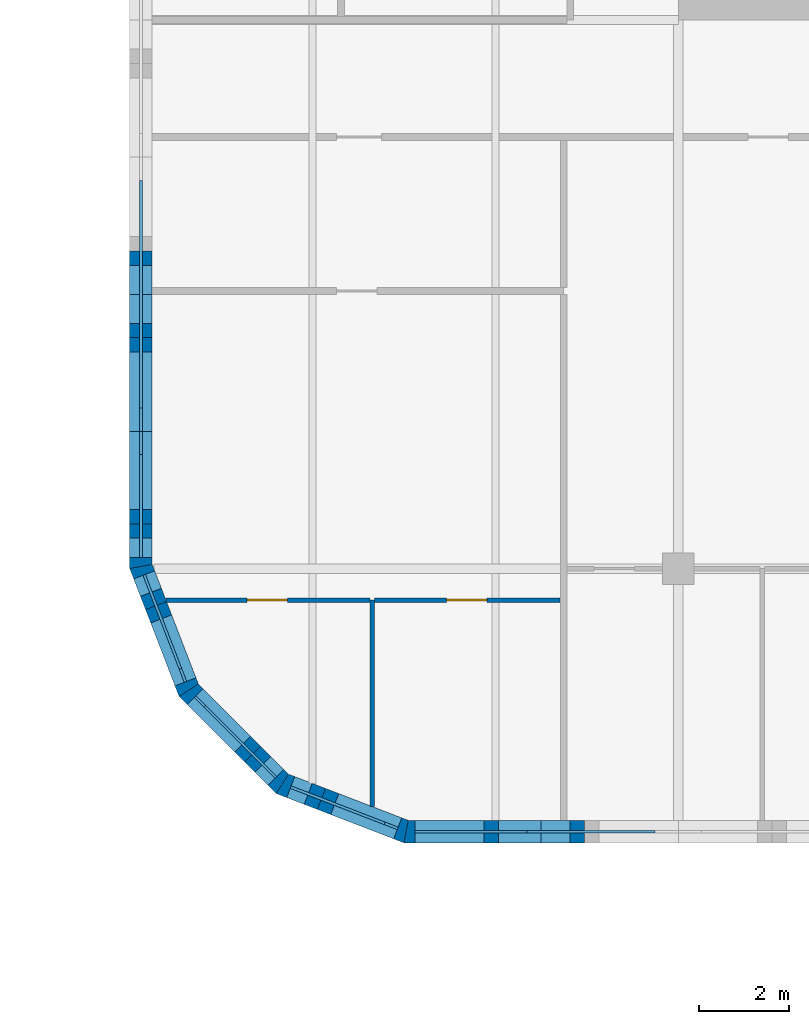
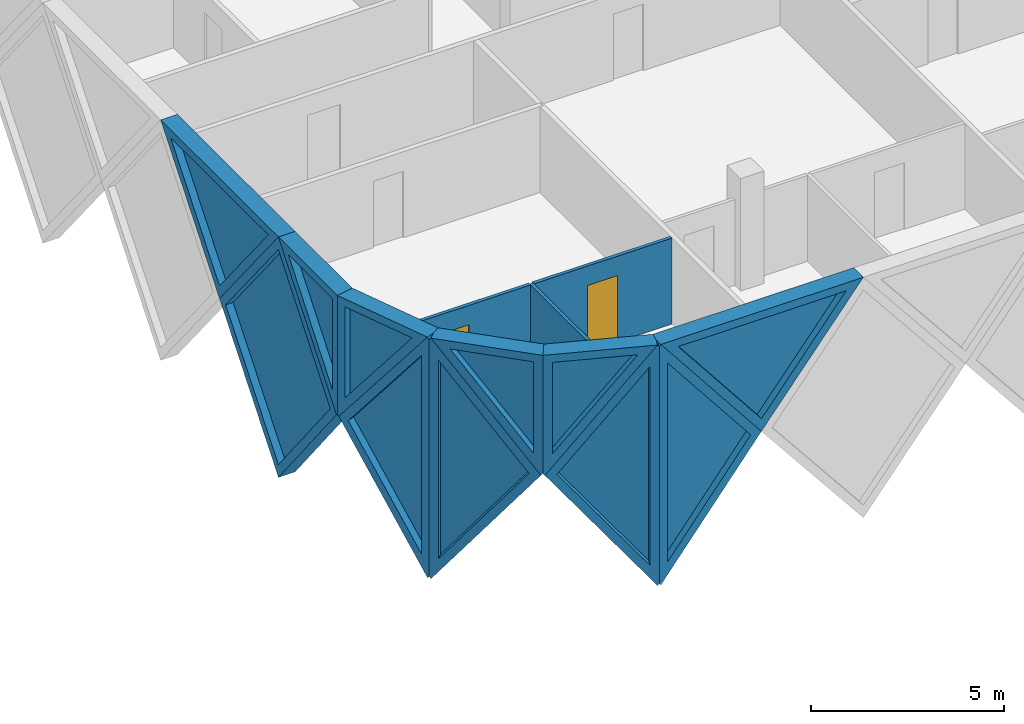
# One storey, part 15 of 24: 14 walls, 11 plates, 2 doors, 13 openings.
"""IFC4 building model written with IfcOpenShell, lengths in metres."""

from ifc_helpers import new_model, si_unit, direction, frame, frame_2d, origin, place, context, subcontext, project, spatial, polyline, rectangle, outline, extrude, faceted_brep, source, transform, mapped, material, layer, layer_set, type_object, element, fill, save


model = new_model("IFC4")

# Units and contexts
model_context = context("Model", 3, precision=1e-05, world=origin(), true_north=direction((0.0, 1.0)))
body_context = subcontext(model_context, "Body", "Model", "MODEL_VIEW")
ifc_project = project(units=[si_unit("LENGTHUNIT", "METRE"), si_unit("AREAUNIT", "SQUARE_METRE"), si_unit("VOLUMEUNIT", "CUBIC_METRE"), si_unit("PLANEANGLEUNIT", "RADIAN"), si_unit("MASSUNIT", "GRAM", prefix="KILO")], contexts=[model_context])

# Site, building, storey
site_placement = place(None, origin())
site = spatial("IfcSite", under=ifc_project, at=site_placement, CompositionType="ELEMENT")
building_placement = place(site_placement, origin())
building = spatial("IfcBuilding", under=site, at=building_placement, Name="Tessera Gate Towers", CompositionType="ELEMENT")
storey_placement = place(building_placement, frame((0.0, 0.0, 102.800048828125)))
storey = spatial("IfcBuildingStorey", under=building, at=storey_placement, Name="L25", CompositionType="ELEMENT", Elevation=102.800048828125)

# Wall
ifc_material_1 = material(Name="Gypsum board on steel studs", Category="steel")
ifc_layer_1 = layer(ifc_material_1, 0.10009765625)
ifc_layer_set_1 = layer_set([ifc_layer_1], Name="PARTITION 100")
wall_type_1 = type_object("IfcWallType", Name="PARTITION 100", PredefinedType="PARTITIONING", material=ifc_layer_set_1)
wall_1_placement = place(storey_placement, frame((90.794921875, 19.10791015625, 0.0), z_axis=(0.0, 0.0, 1.0), x_axis=(0.0, 1.0, 0.0)))
element("IfcWall", 1, at=wall_1_placement, inside=storey, type_object=wall_type_1, Name="T2-L25-PW-007", PredefinedType="PARTITIONING", context=body_context, shape_type="SweptSolid", body=[
    extrude(rectangle(XDim=4.592041015625, YDim=0.10009765625, at=frame_2d((2.2958984375, 0.0))), origin(), (0.0, 0.0, 1.0), 2.71484375),
])

# Wall, opening, door
wall_2_placement = place(storey_placement, frame((90.744140625, 23.699951171875, 0.0), z_axis=(0.0, 0.0, 1.0), x_axis=(-1.0, 0.0, 0.0)))
wall_2 = element("IfcWall", 2, at=wall_2_placement, inside=storey, type_object=wall_type_1, Name="T2-L25-PW-008", PredefinedType="PARTITIONING", context=body_context, shape_type="SweptSolid", body=[
    extrude(rectangle(XDim=4.538330078125, YDim=0.10009765625, at=frame_2d((2.26904296875, 0.0))), origin(), (0.0, 0.0, 1.0), 2.71484375),
])
shared_shape_1 = source(origin(), body_context, "Body", "SweptSolid", [
    extrude(rectangle(XDim=0.89990234375, YDim=2.10009765625, at=frame_2d((0.449951171875, 1.050048828125))), frame((0.0, 0.06005859375, 0.0), z_axis=(0.0, -1.0, 0.0), x_axis=(1.0, 0.0, 0.0)), (0.0, 0.0, 1.0), 0.1201171875),
])
opening_1_placement = place(wall_2_placement, frame((1.83837890625, 0.0, 0.0)))
opening_1 = element("IfcOpeningElement", 3, at=opening_1_placement, cuts=wall_2, Name="Opening D190-B10-04", PredefinedType="OPENING", context=body_context, shape_type="MappedRepresentation", body=[
    mapped(shared_shape_1, transform((0.0, 0.0, 0.0), scale=1.0)),
])
ifc_material_2 = material(Name="Timber door leaf in steel frame", Category="steel")
door_type = type_object("IfcDoorType", Name="INTERNAL DOOR 900 NOT RATED", OperationType="NOTDEFINED", PredefinedType="DOOR", material=ifc_material_2)
shared_shape_2 = source(origin(), body_context, "Body", "SweptSolid", [
    extrude(rectangle(XDim=0.89990234375, YDim=2.10009765625, at=frame_2d((0.449951171875, 1.050048828125))), frame((0.0, 0.02490234375, 0.0), z_axis=(0.0, -1.0, 0.0), x_axis=(1.0, 0.0, 0.0)), (0.0, 0.0, 1.0), 0.050048828125),
])
door_1_placement = place(opening_1_placement, origin())
door_1 = element("IfcDoor", 4, at=door_1_placement, inside=storey, type_object=door_type, Name="T2-L25-PD-004", OperationType="SINGLE_SWING_RIGHT", OverallHeight=2.10009765625, OverallWidth=0.89990234375, PredefinedType="DOOR", context=body_context, shape_type="MappedRepresentation", body=[
    mapped(shared_shape_2, transform((0.0, 0.0, 0.0), scale=1.0)),
])
fill(opening_1, door_1)

wall_3_placement = place(storey_placement, frame((94.97412109375, 23.699951171875, 0.0), z_axis=(0.0, 0.0, 1.0), x_axis=(-1.0, 0.0, 0.0)))
wall_3 = element("IfcWall", 5, at=wall_3_placement, inside=storey, type_object=wall_type_1, Name="T2-L25-PW-009", PredefinedType="PARTITIONING", context=body_context, shape_type="SweptSolid", body=[
    extrude(rectangle(XDim=4.1279296875, YDim=0.10009765625, at=frame_2d((2.06396484375, 0.0))), origin(), (0.0, 0.0, 1.0), 2.71484375),
])
opening_2_placement = place(wall_3_placement, frame((1.627685546875, 0.0, 0.0)))
opening_2 = element("IfcOpeningElement", 6, at=opening_2_placement, cuts=wall_3, Name="Opening D190-B10-02", PredefinedType="OPENING", context=body_context, shape_type="MappedRepresentation", body=[
    mapped(shared_shape_1, transform((0.0, 0.0, 0.0), scale=1.0)),
])
door_2_placement = place(opening_2_placement, origin())
door_2 = element("IfcDoor", 7, at=door_2_placement, inside=storey, type_object=door_type, Name="T2-L25-PD-002", OperationType="SINGLE_SWING_RIGHT", OverallHeight=2.10009765625, OverallWidth=0.89990234375, PredefinedType="DOOR", context=body_context, shape_type="MappedRepresentation", body=[
    mapped(shared_shape_2, transform((0.0, 0.0, 0.0), scale=1.0)),
])
fill(opening_2, door_2)

# Wall, opening, plate
ifc_material_3 = material(Name="Precast concrete C60/75 white", Category="concrete")
ifc_layer_2 = layer(ifc_material_3, 0.5)
ifc_layer_set_2 = layer_set([ifc_layer_2], Name="TS1 tessera")
wall_type_2 = type_object("IfcWallType", Name="TS1 tessera", PredefinedType="SOLIDWALL", material=ifc_layer_set_2)
shared_shape_3 = source(origin(), body_context, "Body", "Brep", [
    faceted_brep([(3.050048828125, -0.25, 0.0), (6.053466796875, -0.25, 3.800048828125), (3.050048828125, -0.25, 7.60009765625), (0.0, -0.25, 3.800048828125), (0.0, 0.25, 3.800048828125), (3.050048828125, 0.25, 7.60009765625), (6.0068359375, 0.25, 3.85888671875), (6.0068359375, 0.25, 3.7412109375), (3.050048828125, 0.25, 0.0), (6.053466796875, 0.0, 3.800048828125)], [[[0, 1, 2, 3]], [[4, 5, 6, 7, 8]], [[8, 7, 9, 1, 0]], [[6, 5, 2, 1, 9]], [[5, 4, 3, 2]], [[4, 8, 0, 3]], [[9, 7, 6]]]),
])
wall_4_placement = place(storey_placement, frame((85.64990234375, 30.5, -3.800048828125), z_axis=(0.0, 0.0, 1.0), x_axis=(0.0, -1.0, 0.0)))
wall_4 = element("IfcWall", 8, at=wall_4_placement, inside=storey, type_object=wall_type_2, Name="Precast tessera T2 TS1-0325", PredefinedType="SOLIDWALL", context=body_context, shape_type="MappedRepresentation", body=[
    mapped(shared_shape_3, transform((0.0, 0.0, 0.0), scale=1.0)),
])
shared_shape_4 = source(origin(), body_context, "Body", "SweptSolid", [
    extrude(outline(polyline([(3.048583984375, 0.4013671875), (5.73486328125, 3.800048828125), (3.048583984375, 7.19873046875), (0.320556640625, 3.800048828125), (3.048583984375, 0.4013671875)])), frame((0.0, 0.260009765625, 0.0), z_axis=(0.0, -1.0, 0.0), x_axis=(1.0, 0.0, 0.0)), (0.0, 0.0, 1.0), 0.52001953125),
])
opening_3_placement = place(wall_4_placement, origin())
opening_3 = element("IfcOpeningElement", 9, at=opening_3_placement, cuts=wall_4, Name="Opening T2-PL2-0599", PredefinedType="OPENING", context=body_context, shape_type="MappedRepresentation", body=[
    mapped(shared_shape_4, transform((0.0, 0.0, 0.0), scale=1.0)),
])
ifc_material_4 = material(Name="Low-e laminated glass", Category="glass")
ifc_layer_3 = layer(ifc_material_4, 0.06005859375)
ifc_layer_set_3 = layer_set([ifc_layer_3], Name="PL2 rhombic pane")
plate_type_1 = type_object("IfcPlateType", Name="PL2 rhombic pane", PredefinedType="SHEET", material=ifc_layer_set_3)
shared_shape_5 = source(origin(), body_context, "Body", "SweptSolid", [
    extrude(outline(polyline([(3.048583984375, 0.4013671875), (5.73486328125, 3.800048828125), (3.048583984375, 7.19873046875), (0.320556640625, 3.800048828125), (3.048583984375, 0.4013671875)])), frame((0.0, 0.030029296875, 0.0), z_axis=(0.0, -1.0, 0.0), x_axis=(1.0, 0.0, 0.0)), (0.0, 0.0, 1.0), 0.06005859375),
])
plate_1_placement = place(opening_3_placement, origin())
plate_1 = element("IfcPlate", 10, at=plate_1_placement, inside=storey, type_object=plate_type_1, Name="Glass pane T2 PL2-0599", PredefinedType="SHEET", context=body_context, shape_type="MappedRepresentation", body=[
    mapped(shared_shape_5, transform((0.0, 0.0, 0.0), scale=1.0)),
])
fill(opening_3, plate_1)

ifc_material_5 = material(Name="Precast concrete C60/75 white", Category="concrete")
ifc_layer_4 = layer(ifc_material_5, 0.5)
ifc_layer_set_4 = layer_set([ifc_layer_4], Name="TS3 corner tessera")
wall_type_3 = type_object("IfcWallType", Name="TS3 corner tessera", PredefinedType="SOLIDWALL", material=ifc_layer_set_4)
shared_shape_6 = source(origin(), body_context, "Body", "Brep", [
    faceted_brep([(0.046630859375, -0.25, 0.0), (3.050048828125, -0.25, 3.800048828125), (0.046630859375, -0.25, 7.60009765625), (0.0, -0.25, 7.5400390625), (0.0, -0.25, 0.06005859375), (0.09326171875, 0.25, 7.541259765625), (3.050048828125, 0.25, 3.800048828125), (0.09326171875, 0.25, 0.058837890625), (0.046630859375, 0.0, 0.0), (0.046630859375, 0.0, 7.60009765625)], [[[0, 1, 2, 3, 4]], [[5, 6, 7]], [[7, 6, 1, 0, 8]], [[6, 5, 9, 2, 1]], [[3, 2, 9]], [[8, 0, 4]], [[7, 8, 4, 3, 9, 5]]]),
])
wall_5_placement = place(storey_placement, frame((91.5, 18.550048828125, -3.800048828125), z_axis=(0.0, 0.0, 1.0), x_axis=(1.0, 0.0, 0.0)))
wall_5 = element("IfcWall", 11, at=wall_5_placement, inside=storey, type_object=wall_type_3, Name="Precast corner tessera T2 TS3-0373", PredefinedType="SOLIDWALL", context=body_context, shape_type="MappedRepresentation", body=[
    mapped(shared_shape_6, transform((0.0, 0.0, 0.0), scale=1.0)),
])
shared_shape_7 = source(origin(), body_context, "Body", "SweptSolid", [
    extrude(outline(polyline([(0.24658203125, 0.65625), (2.7314453125, 3.800048828125), (0.24658203125, 6.94384765625), (0.24658203125, 0.65625)])), frame((0.0, 0.260009765625, 0.0), z_axis=(0.0, -1.0, 0.0), x_axis=(1.0, 0.0, 0.0)), (0.0, 0.0, 1.0), 0.52001953125),
])
opening_4_placement = place(wall_5_placement, origin())
opening_4 = element("IfcOpeningElement", 12, at=opening_4_placement, cuts=wall_5, Name="Opening T2-PL2-0574", PredefinedType="OPENING", context=body_context, shape_type="MappedRepresentation", body=[
    mapped(shared_shape_7, transform((0.0, 0.0, 0.0), scale=1.0)),
])
shared_shape_8 = source(origin(), body_context, "Body", "SweptSolid", [
    extrude(outline(polyline([(0.24658203125, 0.65625), (2.7314453125, 3.800048828125), (0.24658203125, 6.94384765625), (0.24658203125, 0.65625)])), frame((0.0, 0.030029296875, 0.0), z_axis=(0.0, -1.0, 0.0), x_axis=(1.0, 0.0, 0.0)), (0.0, 0.0, 1.0), 0.06005859375),
])
plate_2_placement = place(opening_4_placement, origin())
plate_2 = element("IfcPlate", 13, at=plate_2_placement, inside=storey, type_object=plate_type_1, Name="Glass pane T2 PL2-0574", PredefinedType="SHEET", context=body_context, shape_type="MappedRepresentation", body=[
    mapped(shared_shape_8, transform((0.0, 0.0, 0.0), scale=1.0)),
])
fill(opening_4, plate_2)

shared_shape_9 = source(origin(), body_context, "Body", "Brep", [
    faceted_brep([(0.052978515625, -0.25, 0.0), (2.9970703125, -0.25, 3.800048828125), (0.052978515625, -0.25, 7.60009765625), (0.0, -0.25, 7.531982421875), (0.0, -0.25, 0.068115234375), (0.10595703125, 0.25, 7.53173828125), (2.944091796875, 0.25, 3.8681640625), (2.944091796875, 0.25, 3.73193359375), (0.10595703125, 0.25, 0.068359375), (2.9970703125, 0.000244140625, 3.800048828125), (0.052978515625, 0.0, 0.0), (0.052978515625, 0.0, 7.60009765625)], [[[0, 1, 2, 3, 4]], [[5, 6, 7, 8]], [[8, 7, 9, 1, 0, 10]], [[6, 5, 11, 2, 1, 9]], [[3, 2, 11]], [[10, 0, 4]], [[8, 10, 4, 3, 11, 5]], [[9, 7, 6]]]),
])
wall_6_placement = place(storey_placement, frame((86.674560546875, 21.731201171875, -3.800048828125), z_axis=(0.0, 0.0, 1.0), x_axis=(0.707106781187, -0.707106781187, 0.0)))
wall_6 = element("IfcWall", 14, at=wall_6_placement, inside=storey, type_object=wall_type_3, Name="Precast corner tessera T2 TS3-0380", PredefinedType="SOLIDWALL", context=body_context, shape_type="MappedRepresentation", body=[
    mapped(shared_shape_9, transform((0.0, 0.0, 0.0), scale=1.0)),
])
shared_shape_10 = source(origin(), body_context, "Body", "SweptSolid", [
    extrude(outline(polyline([(0.2529296875, 0.666259765625), (2.680908203125, 3.800048828125), (0.2529296875, 6.93359375), (0.2529296875, 0.666259765625)])), frame((0.0, 0.260009765625, 0.0), z_axis=(0.0, -1.0, 0.0), x_axis=(1.0, 0.0, 0.0)), (0.0, 0.0, 1.0), 0.52001953125),
])
opening_5_placement = place(wall_6_placement, origin())
opening_5 = element("IfcOpeningElement", 15, at=opening_5_placement, cuts=wall_6, Name="Opening T2-PL2-0601", PredefinedType="OPENING", context=body_context, shape_type="MappedRepresentation", body=[
    mapped(shared_shape_10, transform((0.0, 0.0, 0.0), scale=1.0)),
])
shared_shape_11 = source(origin(), body_context, "Body", "SweptSolid", [
    extrude(outline(polyline([(0.2529296875, 0.666259765625), (2.680908203125, 3.800048828125), (0.2529296875, 6.93359375), (0.2529296875, 0.666259765625)])), frame((0.0, 0.030029296875, 0.0), z_axis=(0.0, -1.0, 0.0), x_axis=(1.0, 0.0, 0.0)), (0.0, 0.0, 1.0), 0.06005859375),
])
plate_3_placement = place(opening_5_placement, origin())
plate_3 = element("IfcPlate", 16, at=plate_3_placement, inside=storey, type_object=plate_type_1, Name="Glass pane T2 PL2-0601", PredefinedType="SHEET", context=body_context, shape_type="MappedRepresentation", body=[
    mapped(shared_shape_11, transform((0.0, 0.0, 0.0), scale=1.0)),
])
fill(opening_5, plate_3)

shared_shape_12 = source(origin(), body_context, "Body", "Brep", [
    faceted_brep([(2.950439453125, -0.25, 0.0), (2.9970703125, -0.25, 0.05908203125), (2.9970703125, -0.25, 7.541015625), (2.950439453125, -0.25, 7.60009765625), (0.0, -0.25, 3.800048828125), (0.052978515625, 0.25, 3.8681640625), (2.904052734375, 0.25, 7.540283203125), (2.904052734375, 0.25, 0.059814453125), (0.052978515625, 0.25, 3.73193359375), (2.950439453125, 0.00048828125, 0.0), (2.950439453125, 0.00048828125, 7.60009765625), (0.0, 0.0, 3.800048828125)], [[[0, 1, 2, 3, 4]], [[5, 6, 7, 8]], [[1, 0, 9]], [[10, 3, 2]], [[6, 5, 11, 4, 3, 10]], [[8, 7, 9, 0, 4, 11]], [[8, 11, 5]], [[1, 9, 7, 6, 10, 2]]]),
])
wall_7_placement = place(storey_placement, frame((88.793701171875, 19.61181640625, -3.800048828125), z_axis=(0.0, 0.0, 1.0), x_axis=(0.933000876937, -0.359874094142, 0.0)))
wall_7 = element("IfcWall", 17, at=wall_7_placement, inside=storey, type_object=wall_type_3, Name="Precast corner tessera T2 TS3-0374", PredefinedType="SOLIDWALL", context=body_context, shape_type="MappedRepresentation", body=[
    mapped(shared_shape_12, transform((0.0, 0.0, 0.0), scale=1.0)),
])
shared_shape_13 = source(origin(), body_context, "Body", "SweptSolid", [
    extrude(outline(polyline([(2.75048828125, 6.934814453125), (0.31640625, 3.800048828125), (2.75048828125, 0.665283203125), (2.75048828125, 6.934814453125)])), frame((0.0, 0.260009765625, 0.0), z_axis=(0.0, -1.0, 0.0), x_axis=(1.0, 0.0, 0.0)), (0.0, 0.0, 1.0), 0.52001953125),
])
opening_6_placement = place(wall_7_placement, origin())
opening_6 = element("IfcOpeningElement", 18, at=opening_6_placement, cuts=wall_7, Name="Opening T2-PL2-0575", PredefinedType="OPENING", context=body_context, shape_type="MappedRepresentation", body=[
    mapped(shared_shape_13, transform((0.0, 0.0, 0.0), scale=1.0)),
])
shared_shape_14 = source(origin(), body_context, "Body", "SweptSolid", [
    extrude(outline(polyline([(2.75048828125, 6.934814453125), (0.31640625, 3.800048828125), (2.75048828125, 0.665283203125), (2.75048828125, 6.934814453125)])), frame((0.0, 0.030029296875, 0.0), z_axis=(0.0, -1.0, 0.0), x_axis=(1.0, 0.0, 0.0)), (0.0, 0.0, 1.0), 0.06005859375),
])
plate_4_placement = place(opening_6_placement, origin())
plate_4 = element("IfcPlate", 19, at=plate_4_placement, inside=storey, type_object=plate_type_1, Name="Glass pane T2 PL2-0575", PredefinedType="SHEET", context=body_context, shape_type="MappedRepresentation", body=[
    mapped(shared_shape_14, transform((0.0, 0.0, 0.0), scale=1.0)),
])
fill(opening_6, plate_4)

shared_shape_15 = source(origin(), body_context, "Body", "Brep", [
    faceted_brep([(2.950439453125, -0.25, 0.0), (3.00341796875, -0.25, 0.068359375), (3.00341796875, -0.25, 7.53173828125), (2.950439453125, -0.25, 7.60009765625), (0.0, -0.25, 3.800048828125), (0.046630859375, 0.25, 3.860107421875), (2.897705078125, 0.25, 7.531982421875), (2.897705078125, 0.25, 0.068115234375), (0.046630859375, 0.25, 3.739990234375), (2.950439453125, 0.00048828125, 0.0), (2.950439453125, 0.00048828125, 7.60009765625), (0.0, 0.0, 3.800048828125)], [[[0, 1, 2, 3, 4]], [[5, 6, 7, 8]], [[1, 0, 9]], [[10, 3, 2]], [[6, 5, 11, 4, 3, 10]], [[8, 7, 9, 0, 4, 11]], [[8, 11, 5]], [[1, 9, 7, 6, 10, 2]]]),
])
wall_8_placement = place(storey_placement, frame((85.64990234375, 24.446533203125, -3.800048828125), z_axis=(0.0, 0.0, 1.0), x_axis=(0.35992665181, -0.932980602862, 0.0)))
wall_8 = element("IfcWall", 20, at=wall_8_placement, inside=storey, type_object=wall_type_3, Name="Precast corner tessera T2 TS3-0379", PredefinedType="SOLIDWALL", context=body_context, shape_type="MappedRepresentation", body=[
    mapped(shared_shape_15, transform((0.0, 0.0, 0.0), scale=1.0)),
])
opening_7_placement = place(wall_8_placement, origin())
opening_7 = element("IfcOpeningElement", 21, at=opening_7_placement, cuts=wall_8, Name="Opening T2-PL2-0600", PredefinedType="OPENING", context=body_context, shape_type="MappedRepresentation", body=[
    mapped(shared_shape_13, transform((0.0, 0.0, 0.0), scale=1.0)),
])
plate_5_placement = place(opening_7_placement, origin())
plate_5 = element("IfcPlate", 22, at=plate_5_placement, inside=storey, type_object=plate_type_1, Name="Glass pane T2 PL2-0600", PredefinedType="SHEET", context=body_context, shape_type="MappedRepresentation", body=[
    mapped(shared_shape_14, transform((0.0, 0.0, 0.0), scale=1.0)),
])
fill(opening_7, plate_5)

ifc_material_6 = material(Name="Precast concrete C60/75 white", Category="concrete")
ifc_layer_5 = layer(ifc_material_6, 0.5)
ifc_layer_set_5 = layer_set([ifc_layer_5], Name="TS2 half tessera")
wall_type_4 = type_object("IfcWallType", Name="TS2 half tessera", PredefinedType="SOLIDWALL", material=ifc_layer_set_5)
shared_shape_16 = source(origin(), body_context, "Body", "SweptSolid", [
    extrude(outline(polyline([(3.050048828125, 0.0), (6.10009765625, 3.800048828125), (0.0, 3.800048828125), (3.050048828125, 0.0)])), frame((0.0, 0.25, 0.0), z_axis=(0.0, -1.0, 0.0), x_axis=(1.0, 0.0, 0.0)), (0.0, 0.0, 1.0), 0.5),
])
wall_9_placement = place(storey_placement, frame((85.64990234375, 33.550048828125, 0.0), z_axis=(0.0, 0.0, 1.0), x_axis=(0.0, -1.0, 0.0)))
wall_9 = element("IfcWall", 23, at=wall_9_placement, inside=storey, type_object=wall_type_4, Name="Precast half tessera T2 TS2-0145", PredefinedType="SOLIDWALL", context=body_context, shape_type="MappedRepresentation", body=[
    mapped(shared_shape_16, transform((0.0, 0.0, 0.0), scale=1.0)),
])
shared_shape_17 = source(origin(), body_context, "Body", "SweptSolid", [
    extrude(outline(polyline([(3.050048828125, 0.3994140625), (5.578857421875, 3.550048828125), (0.521240234375, 3.550048828125), (3.050048828125, 0.3994140625)])), frame((0.0, 0.260009765625, 0.0), z_axis=(0.0, -1.0, 0.0), x_axis=(1.0, 0.0, 0.0)), (0.0, 0.0, 1.0), 0.52001953125),
])
opening_8_placement = place(wall_9_placement, origin())
opening_8 = element("IfcOpeningElement", 24, at=opening_8_placement, cuts=wall_9, Name="Opening T2-PL1-0257", PredefinedType="OPENING", context=body_context, shape_type="MappedRepresentation", body=[
    mapped(shared_shape_17, transform((0.0, 0.0, 0.0), scale=1.0)),
])
ifc_material_7 = material(Name="Low-e laminated glass", Category="glass")
ifc_layer_6 = layer(ifc_material_7, 0.06005859375)
ifc_layer_set_6 = layer_set([ifc_layer_6], Name="PL1 triangular pane")
plate_type_2 = type_object("IfcPlateType", Name="PL1 triangular pane", PredefinedType="SHEET", material=ifc_layer_set_6)
shared_shape_18 = source(origin(), body_context, "Body", "SweptSolid", [
    extrude(outline(polyline([(3.050048828125, 0.3994140625), (5.578857421875, 3.550048828125), (0.521240234375, 3.550048828125), (3.050048828125, 0.3994140625)])), frame((0.0, 0.030029296875, 0.0), z_axis=(0.0, -1.0, 0.0), x_axis=(1.0, 0.0, 0.0)), (0.0, 0.0, 1.0), 0.06005859375),
])
plate_6_placement = place(opening_8_placement, origin())
plate_6 = element("IfcPlate", 25, at=plate_6_placement, inside=storey, type_object=plate_type_2, Name="Glass pane T2 PL1-0257", PredefinedType="SHEET", context=body_context, shape_type="MappedRepresentation", body=[
    mapped(shared_shape_18, transform((0.0, 0.0, 0.0), scale=1.0)),
])
fill(opening_8, plate_6)

shared_shape_19 = source(origin(), body_context, "Body", "Brep", [
    faceted_brep([(3.00341796875, -0.25, 0.0), (3.050048828125, -0.25, 0.06005859375), (3.050048828125, -0.25, 3.800048828125), (0.0, -0.25, 3.800048828125), (0.0, 0.25, 3.800048828125), (2.956787109375, 0.25, 3.800048828125), (2.956787109375, 0.25, 0.058837890625), (3.00341796875, 0.000244140625, 0.0)], [[[0, 1, 2, 3]], [[4, 5, 6]], [[1, 0, 7]], [[5, 4, 3, 2]], [[4, 6, 7, 0, 3]], [[1, 7, 6, 5, 2]]]),
])
wall_10_placement = place(storey_placement, frame((85.64990234375, 27.449951171875, 0.0), z_axis=(0.0, 0.0, 1.0), x_axis=(0.0, -1.0, 0.0)))
wall_10 = element("IfcWall", 26, at=wall_10_placement, inside=storey, type_object=wall_type_3, Name="Precast corner tessera T2 TS3-0389", PredefinedType="SOLIDWALL", context=body_context, shape_type="MappedRepresentation", body=[
    mapped(shared_shape_19, transform((0.0, 0.0, 0.0), scale=1.0)),
])
shared_shape_20 = source(origin(), body_context, "Body", "SweptSolid", [
    extrude(outline(polyline([(2.803466796875, 3.550048828125), (0.516357421875, 3.550048828125), (2.803466796875, 0.65625), (2.803466796875, 3.550048828125)])), frame((0.0, 0.260009765625, 0.0), z_axis=(0.0, -1.0, 0.0), x_axis=(1.0, 0.0, 0.0)), (0.0, 0.0, 1.0), 0.52001953125),
])
opening_9_placement = place(wall_10_placement, origin())
opening_9 = element("IfcOpeningElement", 27, at=opening_9_placement, cuts=wall_10, Name="Opening T2-PL1-0258", PredefinedType="OPENING", context=body_context, shape_type="MappedRepresentation", body=[
    mapped(shared_shape_20, transform((0.0, 0.0, 0.0), scale=1.0)),
])
shared_shape_21 = source(origin(), body_context, "Body", "SweptSolid", [
    extrude(outline(polyline([(2.803466796875, 3.550048828125), (0.516357421875, 3.550048828125), (2.803466796875, 0.65625), (2.803466796875, 3.550048828125)])), frame((0.0, 0.030029296875, 0.0), z_axis=(0.0, -1.0, 0.0), x_axis=(1.0, 0.0, 0.0)), (0.0, 0.0, 1.0), 0.06005859375),
])
plate_7_placement = place(opening_9_placement, origin())
plate_7 = element("IfcPlate", 28, at=plate_7_placement, inside=storey, type_object=plate_type_2, Name="Glass pane T2 PL1-0258", PredefinedType="SHEET", context=body_context, shape_type="MappedRepresentation", body=[
    mapped(shared_shape_21, transform((0.0, 0.0, 0.0), scale=1.0)),
])
fill(opening_9, plate_7)

shared_shape_22 = source(origin(), body_context, "Body", "Brep", [
    faceted_brep([(0.046630859375, -0.25, 0.0), (2.9970703125, -0.25, 3.800048828125), (0.0, -0.25, 3.800048828125), (0.0, -0.25, 0.058837890625), (0.09326171875, 0.25, 3.800048828125), (2.9443359375, 0.25, 3.800048828125), (2.9443359375, 0.25, 3.73193359375), (0.09326171875, 0.25, 0.06005859375), (2.9970703125, 0.00048828125, 3.800048828125), (0.046630859375, 0.0, 0.0)], [[[0, 1, 2, 3]], [[4, 5, 6, 7]], [[7, 6, 8, 1, 0, 9]], [[5, 4, 2, 1, 8]], [[9, 0, 3]], [[7, 9, 3, 2, 4]], [[6, 5, 8]]]),
])
wall_11_placement = place(storey_placement, frame((85.63330078125, 24.489990234375, 0.0), z_axis=(0.0, 0.0, 1.0), x_axis=(0.359901446078, -0.932990326376, 0.0)))
wall_11 = element("IfcWall", 29, at=wall_11_placement, inside=storey, type_object=wall_type_3, Name="Precast corner tessera T2 TS3-0390", PredefinedType="SOLIDWALL", context=body_context, shape_type="MappedRepresentation", body=[
    mapped(shared_shape_22, transform((0.0, 0.0, 0.0), scale=1.0)),
])
shared_shape_23 = source(origin(), body_context, "Body", "SweptSolid", [
    extrude(outline(polyline([(0.24658203125, 0.665283203125), (2.486572265625, 3.550048828125), (0.24658203125, 3.550048828125), (0.24658203125, 0.665283203125)])), frame((0.0, 0.260009765625, 0.0), z_axis=(0.0, -1.0, 0.0), x_axis=(1.0, 0.0, 0.0)), (0.0, 0.0, 1.0), 0.52001953125),
])
opening_10_placement = place(wall_11_placement, origin())
opening_10 = element("IfcOpeningElement", 30, at=opening_10_placement, cuts=wall_11, Name="Opening T2-PL1-0259", PredefinedType="OPENING", context=body_context, shape_type="MappedRepresentation", body=[
    mapped(shared_shape_23, transform((0.0, 0.0, 0.0), scale=1.0)),
])
shared_shape_24 = source(origin(), body_context, "Body", "SweptSolid", [
    extrude(outline(polyline([(0.24658203125, 0.665283203125), (2.486572265625, 3.550048828125), (0.24658203125, 3.550048828125), (0.24658203125, 0.665283203125)])), frame((0.0, 0.030029296875, 0.0), z_axis=(0.0, -1.0, 0.0), x_axis=(1.0, 0.0, 0.0)), (0.0, 0.0, 1.0), 0.06005859375),
])
plate_8_placement = place(opening_10_placement, origin())
plate_8 = element("IfcPlate", 31, at=plate_8_placement, inside=storey, type_object=plate_type_2, Name="Glass pane T2 PL1-0259", PredefinedType="SHEET", context=body_context, shape_type="MappedRepresentation", body=[
    mapped(shared_shape_24, transform((0.0, 0.0, 0.0), scale=1.0)),
])
fill(opening_10, plate_8)

shared_shape_25 = source(origin(), body_context, "Body", "Brep", [
    faceted_brep([(2.944091796875, -0.25, 0.0), (2.9970703125, -0.25, 0.068115234375), (2.9970703125, -0.25, 3.800048828125), (0.0, -0.25, 3.800048828125), (0.052978515625, 0.25, 3.800048828125), (2.89111328125, 0.25, 3.800048828125), (2.89111328125, 0.25, 0.068115234375), (0.052978515625, 0.25, 3.731689453125), (2.944091796875, 0.000244140625, 0.0), (0.0, 0.0, 3.800048828125)], [[[0, 1, 2, 3]], [[4, 5, 6, 7]], [[1, 0, 8]], [[5, 4, 9, 3, 2]], [[7, 6, 8, 0, 3, 9]], [[7, 9, 4]], [[1, 8, 6, 5, 2]]]),
])
wall_12_placement = place(storey_placement, frame((86.7119140625, 21.69384765625, 0.0), z_axis=(0.0, 0.0, 1.0), x_axis=(0.707066050402, -0.707147509625, 0.0)))
wall_12 = element("IfcWall", 32, at=wall_12_placement, inside=storey, type_object=wall_type_3, Name="Precast corner tessera T2 TS3-0391", PredefinedType="SOLIDWALL", context=body_context, shape_type="MappedRepresentation", body=[
    mapped(shared_shape_25, transform((0.0, 0.0, 0.0), scale=1.0)),
])
shared_shape_26 = source(origin(), body_context, "Body", "SweptSolid", [
    extrude(outline(polyline([(2.744140625, 3.550048828125), (0.510009765625, 3.550048828125), (2.744140625, 0.666259765625), (2.744140625, 3.550048828125)])), frame((0.0, 0.260009765625, 0.0), z_axis=(0.0, -1.0, 0.0), x_axis=(1.0, 0.0, 0.0)), (0.0, 0.0, 1.0), 0.52001953125),
])
opening_11_placement = place(wall_12_placement, origin())
opening_11 = element("IfcOpeningElement", 33, at=opening_11_placement, cuts=wall_12, Name="Opening T2-PL1-0260", PredefinedType="OPENING", context=body_context, shape_type="MappedRepresentation", body=[
    mapped(shared_shape_26, transform((0.0, 0.0, 0.0), scale=1.0)),
])
shared_shape_27 = source(origin(), body_context, "Body", "SweptSolid", [
    extrude(outline(polyline([(2.744140625, 3.550048828125), (0.510009765625, 3.550048828125), (2.744140625, 0.666259765625), (2.744140625, 3.550048828125)])), frame((0.0, 0.030029296875, 0.0), z_axis=(0.0, -1.0, 0.0), x_axis=(1.0, 0.0, 0.0)), (0.0, 0.0, 1.0), 0.06005859375),
])
plate_9_placement = place(opening_11_placement, origin())
plate_9 = element("IfcPlate", 34, at=plate_9_placement, inside=storey, type_object=plate_type_2, Name="Glass pane T2 PL1-0260", PredefinedType="SHEET", context=body_context, shape_type="MappedRepresentation", body=[
    mapped(shared_shape_27, transform((0.0, 0.0, 0.0), scale=1.0)),
])
fill(opening_11, plate_9)

shared_shape_28 = source(origin(), body_context, "Body", "Brep", [
    faceted_brep([(3.00341796875, -0.25, 0.0), (6.053466796875, -0.25, 3.800048828125), (0.0, -0.25, 3.800048828125), (0.046630859375, 0.25, 3.800048828125), (6.053466796875, 0.25, 3.800048828125), (3.00341796875, 0.25, 0.0), (0.046630859375, 0.25, 3.7412109375), (0.0, 0.0, 3.800048828125)], [[[0, 1, 2]], [[3, 4, 5, 6]], [[5, 4, 1, 0]], [[4, 3, 7, 2, 1]], [[6, 5, 0, 2, 7]], [[6, 7, 3]]]),
])
wall_13_placement = place(storey_placement, frame((91.546630859375, 18.550048828125, 0.0), z_axis=(0.0, 0.0, 1.0), x_axis=(1.0, 0.0, 0.0)))
wall_13 = element("IfcWall", 35, at=wall_13_placement, inside=storey, type_object=wall_type_4, Name="Precast half tessera T2 TS2-0128", PredefinedType="SOLIDWALL", context=body_context, shape_type="MappedRepresentation", body=[
    mapped(shared_shape_28, transform((0.0, 0.0, 0.0), scale=1.0)),
])
shared_shape_29 = source(origin(), body_context, "Body", "SweptSolid", [
    extrude(outline(polyline([(3.0048828125, 0.401123046875), (5.5322265625, 3.550048828125), (0.516357421875, 3.550048828125), (3.0048828125, 0.401123046875)])), frame((0.0, 0.260009765625, 0.0), z_axis=(0.0, -1.0, 0.0), x_axis=(1.0, 0.0, 0.0)), (0.0, 0.0, 1.0), 0.52001953125),
])
opening_12_placement = place(wall_13_placement, origin())
opening_12 = element("IfcOpeningElement", 36, at=opening_12_placement, cuts=wall_13, Name="Opening T2-PL1-0232", PredefinedType="OPENING", context=body_context, shape_type="MappedRepresentation", body=[
    mapped(shared_shape_29, transform((0.0, 0.0, 0.0), scale=1.0)),
])
shared_shape_30 = source(origin(), body_context, "Body", "SweptSolid", [
    extrude(outline(polyline([(3.0048828125, 0.401123046875), (5.5322265625, 3.550048828125), (0.516357421875, 3.550048828125), (3.0048828125, 0.401123046875)])), frame((0.0, 0.030029296875, 0.0), z_axis=(0.0, -1.0, 0.0), x_axis=(1.0, 0.0, 0.0)), (0.0, 0.0, 1.0), 0.06005859375),
])
plate_10_placement = place(opening_12_placement, origin())
plate_10 = element("IfcPlate", 37, at=plate_10_placement, inside=storey, type_object=plate_type_2, Name="Glass pane T2 PL1-0232", PredefinedType="SHEET", context=body_context, shape_type="MappedRepresentation", body=[
    mapped(shared_shape_30, transform((0.0, 0.0, 0.0), scale=1.0)),
])
fill(opening_12, plate_10)

shared_shape_31 = source(origin(), body_context, "Body", "Brep", [
    faceted_brep([(0.052978515625, -0.25, 0.0), (3.00341796875, -0.25, 3.800048828125), (0.0, -0.25, 3.800048828125), (0.0, -0.25, 0.068359375), (0.10595703125, 0.25, 3.800048828125), (2.95703125, 0.25, 3.800048828125), (2.95703125, 0.25, 3.740234375), (0.10595703125, 0.25, 0.068115234375), (3.00341796875, 0.00048828125, 3.800048828125), (0.052978515625, 0.0, 0.0)], [[[0, 1, 2, 3]], [[4, 5, 6, 7]], [[7, 6, 8, 1, 0, 9]], [[5, 4, 2, 1, 8]], [[9, 0, 3]], [[7, 9, 3, 2, 4]], [[6, 5, 8]]]),
])
wall_14_placement = place(storey_placement, frame((88.744384765625, 19.630859375, 0.0), z_axis=(0.0, 0.0, 1.0), x_axis=(0.932997369089, -0.359883188373, 0.0)))
wall_14 = element("IfcWall", 38, at=wall_14_placement, inside=storey, type_object=wall_type_3, Name="Precast corner tessera T2 TS3-0392", PredefinedType="SOLIDWALL", context=body_context, shape_type="MappedRepresentation", body=[
    mapped(shared_shape_31, transform((0.0, 0.0, 0.0), scale=1.0)),
])
shared_shape_32 = source(origin(), body_context, "Body", "SweptSolid", [
    extrude(outline(polyline([(0.2529296875, 0.665283203125), (2.492919921875, 3.550048828125), (0.2529296875, 3.550048828125), (0.2529296875, 0.665283203125)])), frame((0.0, 0.260009765625, 0.0), z_axis=(0.0, -1.0, 0.0), x_axis=(1.0, 0.0, 0.0)), (0.0, 0.0, 1.0), 0.52001953125),
])
opening_13_placement = place(wall_14_placement, origin())
opening_13 = element("IfcOpeningElement", 39, at=opening_13_placement, cuts=wall_14, Name="Opening T2-PL1-0261", PredefinedType="OPENING", context=body_context, shape_type="MappedRepresentation", body=[
    mapped(shared_shape_32, transform((0.0, 0.0, 0.0), scale=1.0)),
])
shared_shape_33 = source(origin(), body_context, "Body", "SweptSolid", [
    extrude(outline(polyline([(0.2529296875, 0.665283203125), (2.492919921875, 3.550048828125), (0.2529296875, 3.550048828125), (0.2529296875, 0.665283203125)])), frame((0.0, 0.030029296875, 0.0), z_axis=(0.0, -1.0, 0.0), x_axis=(1.0, 0.0, 0.0)), (0.0, 0.0, 1.0), 0.06005859375),
])
plate_11_placement = place(opening_13_placement, origin())
plate_11 = element("IfcPlate", 40, at=plate_11_placement, inside=storey, type_object=plate_type_2, Name="Glass pane T2 PL1-0261", PredefinedType="SHEET", context=body_context, shape_type="MappedRepresentation", body=[
    mapped(shared_shape_33, transform((0.0, 0.0, 0.0), scale=1.0)),
])
fill(opening_13, plate_11)

save(model, "model.ifc")
